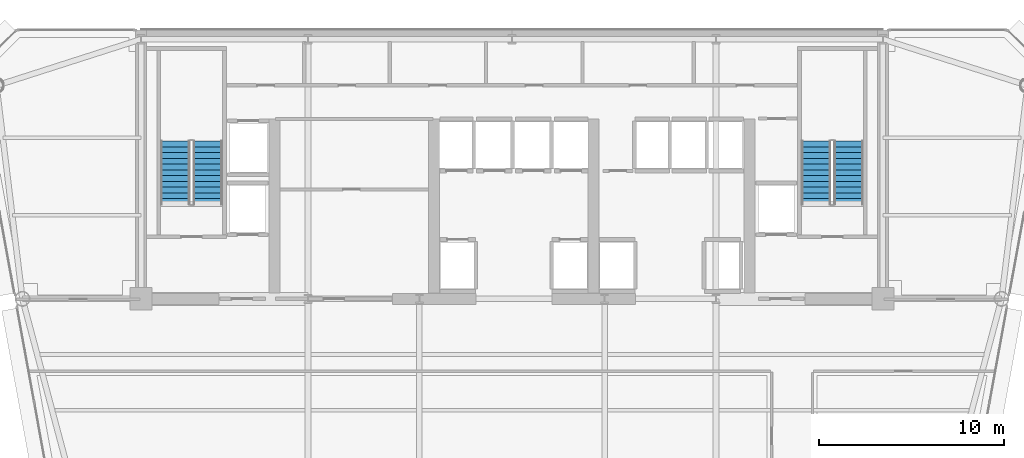
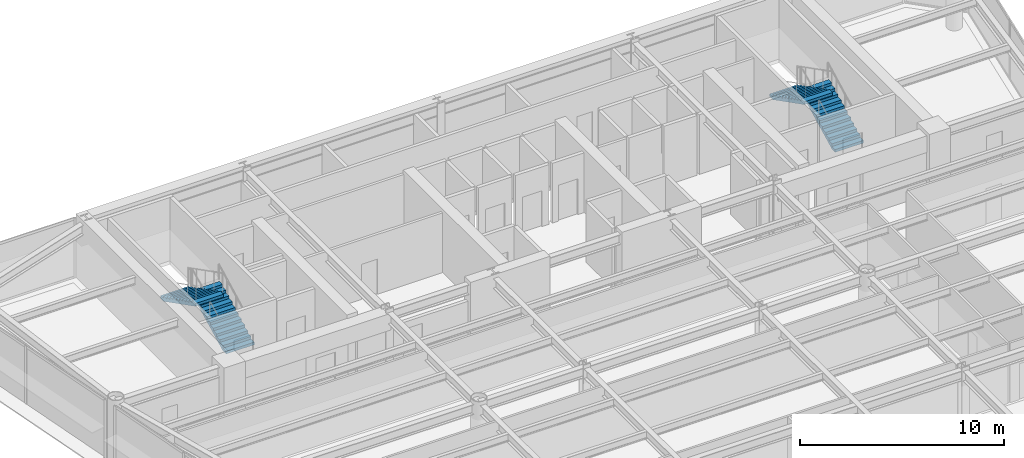
# One storey, part 13 of 17: 4 stair flights, 2 elements without a shape of their own.
"""IFC4 building model written with IfcOpenShell, lengths in metres."""

from ifc_helpers import new_model, si_unit, direction, frame, origin, place, context, subcontext, project, spatial, polyline, outline, extrude, material, type_object, element, aggregate, save


model = new_model("IFC4")

# Units and contexts
model_context = context("Model", 3, precision=1e-05, world=origin(), true_north=direction((0.0, 1.0)))
body_context = subcontext(model_context, "Body", "Model", "MODEL_VIEW")
ifc_project = project(units=[si_unit("LENGTHUNIT", "METRE"), si_unit("AREAUNIT", "SQUARE_METRE"), si_unit("VOLUMEUNIT", "CUBIC_METRE"), si_unit("PLANEANGLEUNIT", "RADIAN"), si_unit("MASSUNIT", "GRAM", prefix="KILO")], contexts=[model_context])

# Site, building, storey
site_placement = place(None, origin())
site = spatial("IfcSite", under=ifc_project, at=site_placement, CompositionType="ELEMENT")
building_placement = place(site_placement, origin())
building = spatial("IfcBuilding", under=site, at=building_placement, Name="Vaeldorn Concourse Tower", CompositionType="ELEMENT")
storey_placement = place(building_placement, frame((0.0, 0.0, 172.800048828125)))
storey = spatial("IfcBuildingStorey", under=building, at=storey_placement, Name="L44", CompositionType="ELEMENT", Elevation=172.800048828125)

# Stair, stair flights
ifc_material = material(Name="Precast concrete C40/50", Category="concrete")
stair_type = type_object("IfcStairType", Name="STR-DOG-24x158", PredefinedType="HALF_TURN_STAIR", material=ifc_material)
stair_1_placement = place(storey_placement, origin())
stair_1 = element("IfcStair", 1, at=stair_1_placement, inside=storey, type_object=stair_type, Name="L44 West Core Exit Stair ST-1", PredefinedType="HALF_TURN_STAIR")
stair_flight_type = type_object("IfcStairFlightType", Name="STF-STR-12x158", PredefinedType="STRAIGHT", material=ifc_material)
stair_flight_1_placement = place(storey_placement, frame((17.60009765625, 41.60009765625, 0.0), z_axis=(0.0, 0.0, 1.0), x_axis=(0.0, 1.0, 0.0)))
stair_flight_1 = element("IfcStairFlight", 2, at=stair_flight_1_placement, type_object=stair_flight_type, Name="ST-1 flight 1", NumberOfRisers=12, NumberOfTreads=11, PredefinedType="STRAIGHT", RiserHeight=0.158333333, TreadLength=0.31, context=body_context, shape_type="SweptSolid", body=[
    extrude(outline(polyline([(0.0, 0.0), (0.0, 0.158447265625), (0.31005859375, 0.158447265625), (0.31005859375, 0.316650390625), (0.6201171875, 0.316650390625), (0.6201171875, 0.47509765625), (0.929931640625, 0.47509765625), (0.929931640625, 0.63330078125), (1.239990234375, 0.63330078125), (1.239990234375, 0.791748046875), (1.550048828125, 0.791748046875), (1.550048828125, 0.949951171875), (1.860107421875, 0.949951171875), (1.860107421875, 1.1083984375), (2.169921875, 1.1083984375), (2.169921875, 1.2666015625), (2.47998046875, 1.2666015625), (2.47998046875, 1.425048828125), (2.7900390625, 1.425048828125), (2.7900390625, 1.583251953125), (3.10009765625, 1.583251953125), (3.10009765625, 1.74169921875), (3.409912109375, 1.74169921875), (3.409912109375, 1.89990234375), (3.409912109375, 1.5732421875), (0.32958984375, 0.0), (0.0, 0.0)])), frame((0.0, 0.800048828125, 0.0), z_axis=(0.0, -1.0, 0.0), x_axis=(1.0, 0.0, 0.0)), (0.0, 0.0, 1.0), 1.60009765625),
])
stair_flight_2_placement = place(storey_placement, frame((15.85009765625, 45.010009765625, 1.89990234375), z_axis=(0.0, 0.0, 1.0), x_axis=(0.0, -1.0, 0.0)))
stair_flight_2 = element("IfcStairFlight", 3, at=stair_flight_2_placement, type_object=stair_flight_type, Name="ST-1 flight 2", NumberOfRisers=12, NumberOfTreads=11, PredefinedType="STRAIGHT", RiserHeight=0.158333333, TreadLength=0.31, context=body_context, shape_type="SweptSolid", body=[
    extrude(outline(polyline([(0.0, 0.0), (0.0, 0.158447265625), (0.31005859375, 0.158447265625), (0.31005859375, 0.316650390625), (0.6201171875, 0.316650390625), (0.6201171875, 0.47509765625), (0.929931640625, 0.47509765625), (0.929931640625, 0.63330078125), (1.239990234375, 0.63330078125), (1.239990234375, 0.791748046875), (1.550048828125, 0.791748046875), (1.550048828125, 0.949951171875), (1.860107421875, 0.949951171875), (1.860107421875, 1.1083984375), (2.169921875, 1.1083984375), (2.169921875, 1.2666015625), (2.47998046875, 1.2666015625), (2.47998046875, 1.425048828125), (2.7900390625, 1.425048828125), (2.7900390625, 1.583251953125), (3.10009765625, 1.583251953125), (3.10009765625, 1.74169921875), (3.409912109375, 1.74169921875), (3.409912109375, 1.89990234375), (3.409912109375, 1.5732421875), (0.32958984375, 0.0), (0.0, 0.0)])), frame((0.0, 0.800048828125, 0.0), z_axis=(0.0, -1.0, 0.0), x_axis=(1.0, 0.0, 0.0)), (0.0, 0.0, 1.0), 1.60009765625),
])
aggregate(stair_1, [stair_flight_1, stair_flight_2])

stair_2_placement = place(storey_placement, origin())
stair_2 = element("IfcStair", 4, at=stair_2_placement, inside=storey, type_object=stair_type, Name="L44 East Core Exit Stair ST-2", PredefinedType="HALF_TURN_STAIR")
stair_flight_3_placement = place(storey_placement, frame((52.14990234375, 41.60009765625, 0.0), z_axis=(0.0, 0.0, 1.0), x_axis=(0.0, 1.0, 0.0)))
stair_flight_3 = element("IfcStairFlight", 5, at=stair_flight_3_placement, type_object=stair_flight_type, Name="ST-2 flight 1", NumberOfRisers=12, NumberOfTreads=11, PredefinedType="STRAIGHT", RiserHeight=0.158333333, TreadLength=0.31, context=body_context, shape_type="SweptSolid", body=[
    extrude(outline(polyline([(0.0, 0.0), (0.0, 0.158447265625), (0.31005859375, 0.158447265625), (0.31005859375, 0.316650390625), (0.6201171875, 0.316650390625), (0.6201171875, 0.47509765625), (0.929931640625, 0.47509765625), (0.929931640625, 0.63330078125), (1.239990234375, 0.63330078125), (1.239990234375, 0.791748046875), (1.550048828125, 0.791748046875), (1.550048828125, 0.949951171875), (1.860107421875, 0.949951171875), (1.860107421875, 1.1083984375), (2.169921875, 1.1083984375), (2.169921875, 1.2666015625), (2.47998046875, 1.2666015625), (2.47998046875, 1.425048828125), (2.7900390625, 1.425048828125), (2.7900390625, 1.583251953125), (3.10009765625, 1.583251953125), (3.10009765625, 1.74169921875), (3.409912109375, 1.74169921875), (3.409912109375, 1.89990234375), (3.409912109375, 1.5732421875), (0.32958984375, 0.0), (0.0, 0.0)])), frame((0.0, 0.800048828125, 0.0), z_axis=(0.0, -1.0, 0.0), x_axis=(1.0, 0.0, 0.0)), (0.0, 0.0, 1.0), 1.60009765625),
])
stair_flight_4_placement = place(storey_placement, frame((50.39990234375, 45.010009765625, 1.89990234375), z_axis=(0.0, 0.0, 1.0), x_axis=(0.0, -1.0, 0.0)))
stair_flight_4 = element("IfcStairFlight", 6, at=stair_flight_4_placement, type_object=stair_flight_type, Name="ST-2 flight 2", NumberOfRisers=12, NumberOfTreads=11, PredefinedType="STRAIGHT", RiserHeight=0.158333333, TreadLength=0.31, context=body_context, shape_type="SweptSolid", body=[
    extrude(outline(polyline([(0.0, 0.0), (0.0, 0.158447265625), (0.31005859375, 0.158447265625), (0.31005859375, 0.316650390625), (0.6201171875, 0.316650390625), (0.6201171875, 0.47509765625), (0.929931640625, 0.47509765625), (0.929931640625, 0.63330078125), (1.239990234375, 0.63330078125), (1.239990234375, 0.791748046875), (1.550048828125, 0.791748046875), (1.550048828125, 0.949951171875), (1.860107421875, 0.949951171875), (1.860107421875, 1.1083984375), (2.169921875, 1.1083984375), (2.169921875, 1.2666015625), (2.47998046875, 1.2666015625), (2.47998046875, 1.425048828125), (2.7900390625, 1.425048828125), (2.7900390625, 1.583251953125), (3.10009765625, 1.583251953125), (3.10009765625, 1.74169921875), (3.409912109375, 1.74169921875), (3.409912109375, 1.89990234375), (3.409912109375, 1.5732421875), (0.32958984375, 0.0), (0.0, 0.0)])), frame((0.0, 0.800048828125, 0.0), z_axis=(0.0, -1.0, 0.0), x_axis=(1.0, 0.0, 0.0)), (0.0, 0.0, 1.0), 1.60009765625),
])
aggregate(stair_2, [stair_flight_3, stair_flight_4])

save(model, "model.ifc")
